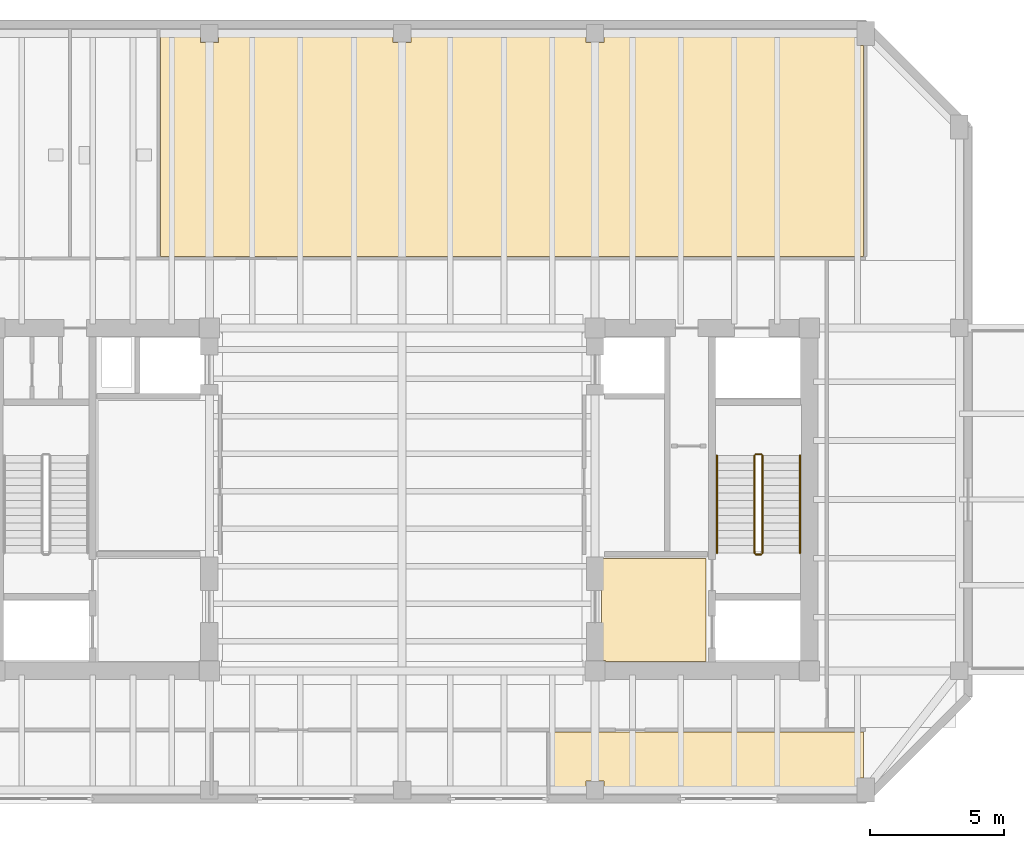
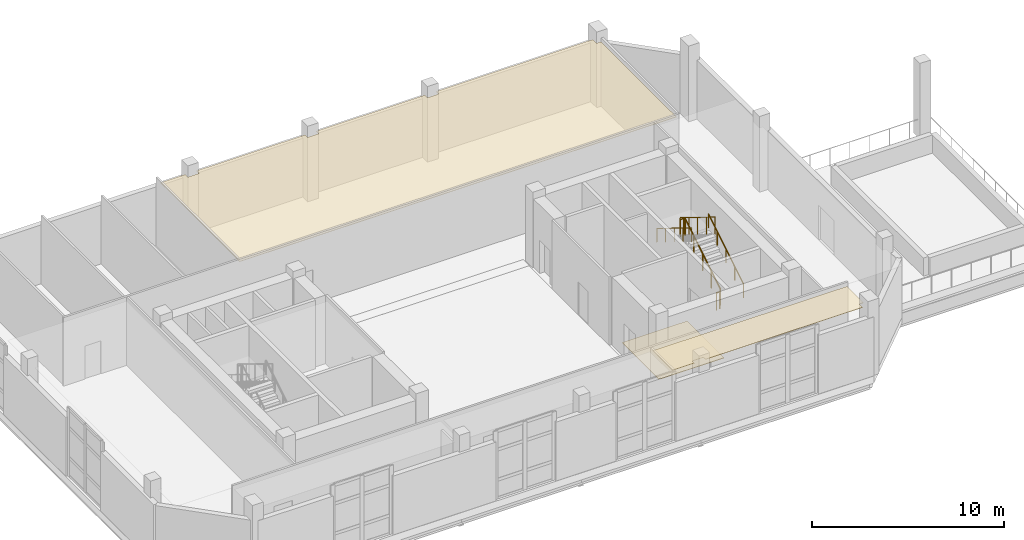
# One storey, part 9 of 11: 6 railings, 3 coverings.
"""IFC4 building model written with IfcOpenShell, lengths in metres."""

from ifc_helpers import new_model, si_unit, direction, frame, origin, origin_2d, place, context, subcontext, project, spatial, polyline, circle, outline, extrude, material, layer, layer_set, type_object, element, save


model = new_model("IFC4")

# Units and contexts
model_context = context("Model", 3, precision=1e-05, world=origin(), true_north=direction((0.0, 1.0)))
body_context = subcontext(model_context, "Body", "Model", "MODEL_VIEW")
ifc_project = project(units=[si_unit("LENGTHUNIT", "METRE"), si_unit("AREAUNIT", "SQUARE_METRE"), si_unit("VOLUMEUNIT", "CUBIC_METRE"), si_unit("PLANEANGLEUNIT", "RADIAN"), si_unit("MASSUNIT", "GRAM", prefix="KILO")], contexts=[model_context])

# Site, building, storey
site_placement = place(None, origin())
site = spatial("IfcSite", under=ifc_project, at=site_placement, CompositionType="ELEMENT")
building_placement = place(site_placement, origin())
building = spatial("IfcBuilding", under=site, at=building_placement, Name="Kranthara Brick Stack", CompositionType="ELEMENT")
storey_placement = place(building_placement, frame((0.0, 0.0, 287.39990234375)))
storey = spatial("IfcBuildingStorey", under=building, at=storey_placement, Name="L76", CompositionType="ELEMENT", Elevation=287.39990234375)

# Coverings
ifc_material_1 = material(Name="Perforated mineral-fibre acoustic ceiling tile", Category="other")
ifc_layer_1 = layer(ifc_material_1, 0.02490234375)
ifc_layer_set_1 = layer_set([ifc_layer_1], Name="Perforated mineral-fibre acoustic ceiling tile")
covering_type_1 = type_object("IfcCoveringType", Name="COV-CEIL-ACOUSTIC", PredefinedType="CEILING", material=ifc_layer_set_1)
covering_1_placement = place(storey_placement, frame((0.0, 0.0, 4.080078125)))
element("IfcCovering", 1, at=covering_1_placement, inside=storey, type_object=covering_type_1, Name="L76 L76 Sky Pool Cabana Salon 3 Acoustic Ceiling", PredefinedType="CEILING", context=body_context, shape_type="SweptSolid", body=[
    extrude(outline(polyline([(33.5400390625, 18.52001953125), (45.219970703125, 18.52001953125), (45.219970703125, 16.81005859375), (44.965087890625, 16.81005859375), (44.965087890625, 16.469970703125), (35.534912109375, 16.469970703125), (35.534912109375, 16.68505859375), (34.864990234375, 16.68505859375), (34.864990234375, 16.469970703125), (33.5400390625, 16.469970703125), (33.5400390625, 18.52001953125)])), origin(), (0.0, 0.0, 1.0), 0.02490234375),
])
covering_2_placement = place(storey_placement, frame((0.0, 0.0, 4.080078125)))
element("IfcCovering", 2, at=covering_2_placement, inside=storey, type_object=covering_type_1, Name="L76 L76 Sky Fitness Studio and Wellness Club Acoustic Ceiling", PredefinedType="CEILING", context=body_context, shape_type="SweptSolid", body=[
    extrude(outline(polyline([(18.97998046875, 44.530029296875), (20.465087890625, 44.530029296875), (20.465087890625, 44.264892578125), (21.135009765625, 44.264892578125), (21.135009765625, 44.530029296875), (27.6650390625, 44.530029296875), (27.6650390625, 44.264892578125), (28.3349609375, 44.264892578125), (28.3349609375, 44.530029296875), (34.864990234375, 44.530029296875), (34.864990234375, 44.264892578125), (35.534912109375, 44.264892578125), (35.534912109375, 44.530029296875), (44.965087890625, 44.530029296875), (44.965087890625, 44.139892578125), (45.219970703125, 44.139892578125), (45.219970703125, 36.280029296875), (18.97998046875, 36.280029296875), (18.97998046875, 44.530029296875)])), origin(), (0.0, 0.0, 1.0), 0.02490234375),
])
ifc_material_2 = material(Name="Honed terrazzo and porcelain floor finish", Category="stone")
ifc_layer_2 = layer(ifc_material_2, 0.030029296875)
ifc_layer_set_2 = layer_set([ifc_layer_2], Name="Honed terrazzo and porcelain floor finish")
covering_type_2 = type_object("IfcCoveringType", Name="COV-FLOR-STONE", PredefinedType="FLOORING", material=ifc_layer_set_2)
covering_3_placement = place(storey_placement, origin())
element("IfcCovering", 3, at=covering_3_placement, inside=storey, type_object=covering_type_2, Name="L76 Lift Lobby Stone Flooring", PredefinedType="FLOORING", context=body_context, shape_type="SweptSolid", body=[
    extrude(outline(polyline([(35.449951171875, 25.0), (39.35009765625, 25.0), (39.35009765625, 21.14990234375), (35.5849609375, 21.14990234375), (35.5849609375, 21.18505859375), (35.449951171875, 21.18505859375), (35.449951171875, 25.0)])), origin(), (0.0, 0.0, 1.0), 0.030029296875),
])

# Railings
ifc_material_3 = material(Name="Painted galvanized steel stair guardrail", Category="steel")
railing_type_1 = type_object("IfcRailingType", Name="RL-STAIR-GUARD-1100", PredefinedType="GUARDRAIL", material=ifc_material_3)
railing_1_placement = place(storey_placement, frame((41.449951171875, 25.199951171875, 0.171630859375)))
element("IfcRailing", 4, at=railing_1_placement, inside=storey, type_object=railing_type_1, Name="L76 ST02 stair guard 1", PredefinedType="GUARDRAIL", context=body_context, shape_type="SweptSolid", body=[
    extrude(circle(Radius=0.02392578125, at=origin_2d()), frame((0.0, 0.0, 1.076171875), z_axis=(0.0, 0.852865859571, 0.52213008492), x_axis=(-1.0, 0.0, 0.0)), (0.0, 0.0, 1.0), 4.26806640625),
    extrude(circle(Radius=0.02099609375, at=origin_2d()), origin(), (0.0, 0.0, 1.0), 1.052001953125),
    extrude(circle(Radius=0.02099609375, at=origin_2d()), frame((0.0, 0.91015625, 0.55712890625)), (0.0, 0.0, 1.0), 1.052001953125),
    extrude(circle(Radius=0.02099609375, at=origin_2d()), frame((0.0, 1.820068359375, 1.1142578125)), (0.0, 0.0, 1.0), 1.052001953125),
    extrude(circle(Radius=0.02099609375, at=origin_2d()), frame((0.0, 2.72998046875, 1.67138671875)), (0.0, 0.0, 1.0), 1.052001953125),
    extrude(circle(Radius=0.02099609375, at=origin_2d()), frame((0.0, 3.64013671875, 2.228515625)), (0.0, 0.0, 1.0), 1.052001953125),
])
railing_2_placement = place(storey_placement, frame((41.39990234375, 28.889892578125, 2.400146484375)))
element("IfcRailing", 5, at=railing_2_placement, inside=storey, type_object=railing_type_1, Name="L76 ST02 stair guard 2", PredefinedType="GUARDRAIL", context=body_context, shape_type="SweptSolid", body=[
    extrude(circle(Radius=0.02392578125, at=origin_2d()), frame((0.0, 0.0, 1.076171875), z_axis=(-1.0, 0.0, 0.0), x_axis=(0.0, -1.0, 0.0)), (0.0, 0.0, 1.0), 0.199951171875),
    extrude(circle(Radius=0.02099609375, at=origin_2d()), origin(), (0.0, 0.0, 1.0), 1.052001953125),
    extrude(circle(Radius=0.02099609375, at=origin_2d()), frame((-0.199951171875, 0.0, 0.0)), (0.0, 0.0, 1.0), 1.052001953125),
])
railing_3_placement = place(storey_placement, frame((41.14990234375, 28.840087890625, 2.571533203125)))
element("IfcRailing", 6, at=railing_3_placement, inside=storey, type_object=railing_type_1, Name="L76 ST02 stair guard 3", PredefinedType="GUARDRAIL", context=body_context, shape_type="SweptSolid", body=[
    extrude(circle(Radius=0.02392578125, at=origin_2d()), frame((0.0, 0.0, 1.076171875), z_axis=(0.0, -0.852865859571, 0.52213008492), x_axis=(1.0, 0.0, 0.0)), (0.0, 0.0, 1.0), 4.26806640625),
    extrude(circle(Radius=0.02099609375, at=origin_2d()), origin(), (0.0, 0.0, 1.0), 1.052001953125),
    extrude(circle(Radius=0.02099609375, at=origin_2d()), frame((0.0, -0.91015625, 0.55712890625)), (0.0, 0.0, 1.0), 1.052001953125),
    extrude(circle(Radius=0.02099609375, at=origin_2d()), frame((0.0, -1.820068359375, 1.1142578125)), (0.0, 0.0, 1.0), 1.052001953125),
    extrude(circle(Radius=0.02099609375, at=origin_2d()), frame((0.0, -2.72998046875, 1.67138671875)), (0.0, 0.0, 1.0), 1.052001953125),
    extrude(circle(Radius=0.02099609375, at=origin_2d()), frame((0.0, -3.64013671875, 2.228515625)), (0.0, 0.0, 1.0), 1.052001953125),
])
railing_4_placement = place(storey_placement, frame((41.39990234375, 25.14990234375, 0.0)))
element("IfcRailing", 7, at=railing_4_placement, inside=storey, type_object=railing_type_1, Name="L76 ST02 stair guard 4", PredefinedType="GUARDRAIL", context=body_context, shape_type="SweptSolid", body=[
    extrude(circle(Radius=0.02392578125, at=origin_2d()), frame((0.0, 0.0, 1.076171875), z_axis=(-1.0, 0.0, 0.0), x_axis=(0.0, -1.0, 0.0)), (0.0, 0.0, 1.0), 0.199951171875),
    extrude(circle(Radius=0.02099609375, at=origin_2d()), origin(), (0.0, 0.0, 1.0), 1.052001953125),
    extrude(circle(Radius=0.02099609375, at=origin_2d()), frame((-0.199951171875, 0.0, 0.0)), (0.0, 0.0, 1.0), 1.052001953125),
])
ifc_material_4 = material(Name="Brushed stainless steel tubular handrail", Category="steel")
railing_type_2 = type_object("IfcRailingType", Name="RL-STAIR-HAND-900", PredefinedType="HANDRAIL", material=ifc_material_4)
railing_5_placement = place(storey_placement, frame((42.85009765625, 25.199951171875, 0.171630859375)))
element("IfcRailing", 8, at=railing_5_placement, inside=storey, type_object=railing_type_2, Name="L76 ST02 stair handrail 1", PredefinedType="HANDRAIL", context=body_context, shape_type="SweptSolid", body=[
    extrude(circle(Radius=0.02392578125, at=origin_2d()), frame((0.0, 0.0, 0.8759765625), z_axis=(0.0, 0.852865859571, 0.52213008492), x_axis=(-1.0, 0.0, 0.0)), (0.0, 0.0, 1.0), 4.26806640625),
    extrude(circle(Radius=0.02099609375, at=origin_2d()), origin(), (0.0, 0.0, 1.0), 0.851806640625),
    extrude(circle(Radius=0.02099609375, at=origin_2d()), frame((0.0, 0.91015625, 0.55712890625)), (0.0, 0.0, 1.0), 0.851806640625),
    extrude(circle(Radius=0.02099609375, at=origin_2d()), frame((0.0, 1.820068359375, 1.1142578125)), (0.0, 0.0, 1.0), 0.851806640625),
    extrude(circle(Radius=0.02099609375, at=origin_2d()), frame((0.0, 2.72998046875, 1.67138671875)), (0.0, 0.0, 1.0), 0.851806640625),
    extrude(circle(Radius=0.02099609375, at=origin_2d()), frame((0.0, 3.64013671875, 2.228515625)), (0.0, 0.0, 1.0), 0.851806640625),
])
railing_6_placement = place(storey_placement, frame((39.75, 28.840087890625, 2.571533203125)))
element("IfcRailing", 9, at=railing_6_placement, inside=storey, type_object=railing_type_2, Name="L76 ST02 stair handrail 2", PredefinedType="HANDRAIL", context=body_context, shape_type="SweptSolid", body=[
    extrude(circle(Radius=0.02392578125, at=origin_2d()), frame((0.0, 0.0, 0.8759765625), z_axis=(0.0, -0.852865859571, 0.52213008492), x_axis=(1.0, 0.0, 0.0)), (0.0, 0.0, 1.0), 4.26806640625),
    extrude(circle(Radius=0.02099609375, at=origin_2d()), origin(), (0.0, 0.0, 1.0), 0.851806640625),
    extrude(circle(Radius=0.02099609375, at=origin_2d()), frame((0.0, -0.91015625, 0.55712890625)), (0.0, 0.0, 1.0), 0.851806640625),
    extrude(circle(Radius=0.02099609375, at=origin_2d()), frame((0.0, -1.820068359375, 1.1142578125)), (0.0, 0.0, 1.0), 0.851806640625),
    extrude(circle(Radius=0.02099609375, at=origin_2d()), frame((0.0, -2.72998046875, 1.67138671875)), (0.0, 0.0, 1.0), 0.851806640625),
    extrude(circle(Radius=0.02099609375, at=origin_2d()), frame((0.0, -3.64013671875, 2.228515625)), (0.0, 0.0, 1.0), 0.851806640625),
])

save(model, "model.ifc")
